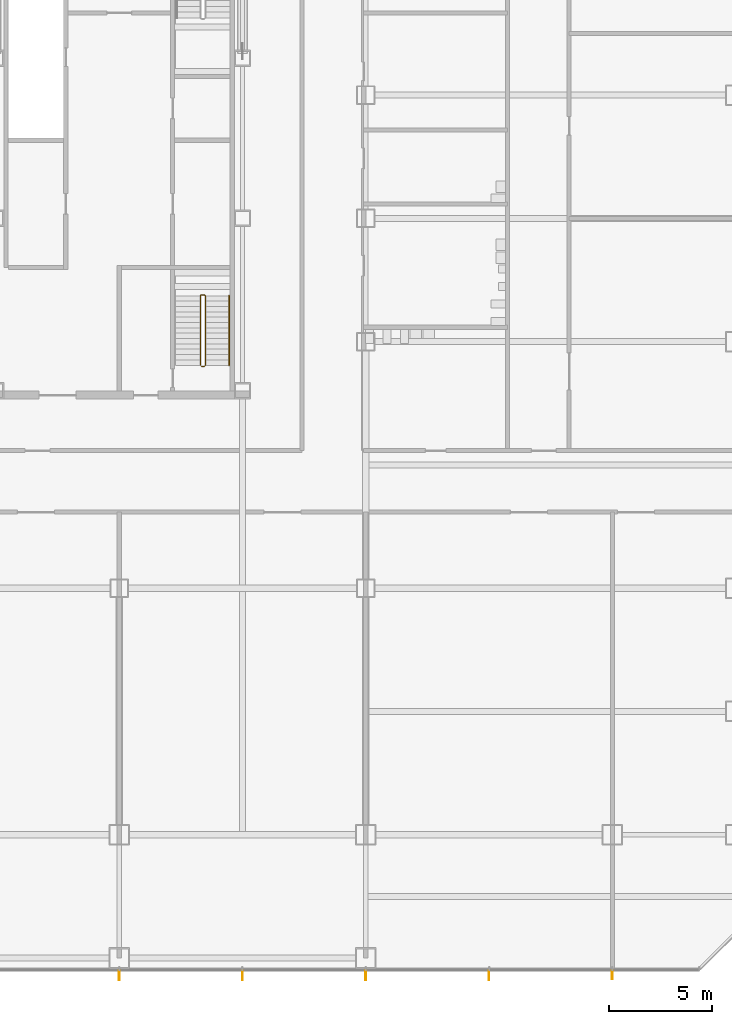
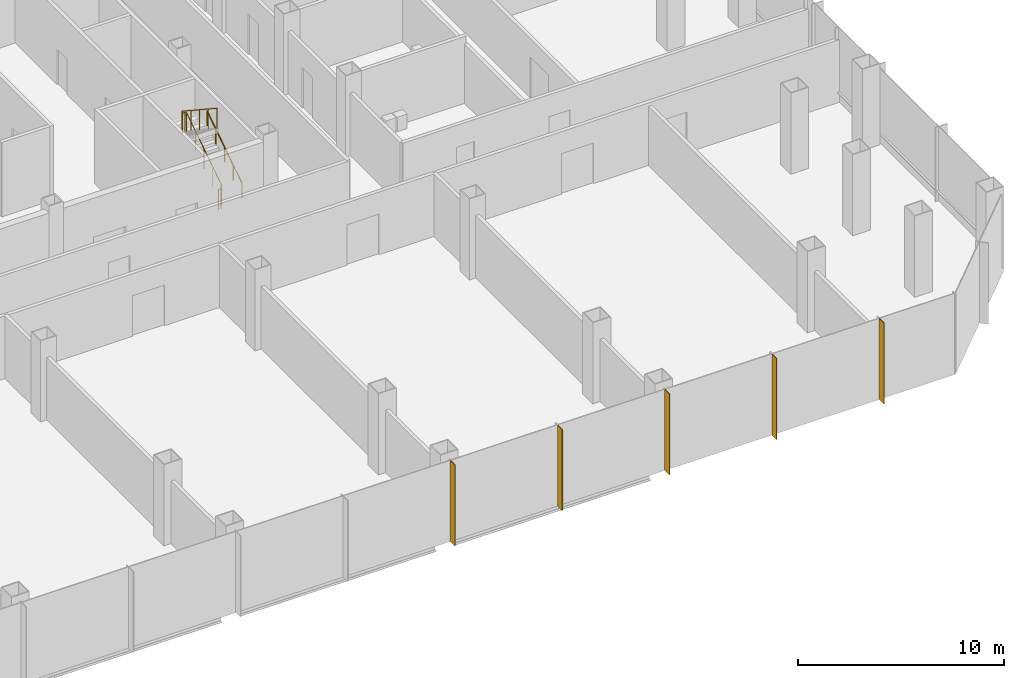
# One storey, part 28 of 33: 5 shading devices, 2 railings.
"""IFC4 building model written with IfcOpenShell, lengths in metres."""

from ifc_helpers import new_model, si_unit, direction, frame, origin, origin_2d, place, context, subcontext, project, spatial, rectangle, circle, extrude, material, material_profile, profile_set, type_object, element, save


model = new_model("IFC4")

# Units and contexts
model_context = context("Model", 3, precision=1e-05, world=origin(), true_north=direction((0.0, 1.0)))
body_context = subcontext(model_context, "Body", "Model", "MODEL_VIEW")
ifc_project = project(units=[si_unit("LENGTHUNIT", "METRE"), si_unit("AREAUNIT", "SQUARE_METRE"), si_unit("VOLUMEUNIT", "CUBIC_METRE"), si_unit("PLANEANGLEUNIT", "RADIAN"), si_unit("MASSUNIT", "GRAM", prefix="KILO")], contexts=[model_context])

# Site, building, storey
site_placement = place(None, origin())
site = spatial("IfcSite", under=ifc_project, at=site_placement, CompositionType="ELEMENT")
building_placement = place(site_placement, origin())
building = spatial("IfcBuilding", under=site, at=building_placement, Name="Sorahane Residences", CompositionType="ELEMENT")
storey_placement = place(building_placement, frame((0.0, 0.0, 25.199951171875)))
storey = spatial("IfcBuildingStorey", under=building, at=storey_placement, Name="L03", CompositionType="ELEMENT", Elevation=25.199951171875)

# Shading devices
ifc_material_1 = material(Name="Terracotta anodised aluminium", Category="masonry")
ifc_material_profile = material_profile(ifc_material_1, rectangle(XDim=0.449951171875, YDim=0.0400390625, at=origin_2d()), Name="Podium vertical fin terracotta anodised aluminium 450x40")
ifc_profile_set = profile_set([ifc_material_profile], Name="Terracotta anodised aluminium")
shading_device_type = type_object("IfcShadingDeviceType", Name="Podium vertical fin terracotta anodised aluminium 450x40", PredefinedType="USERDEFINED", material=ifc_profile_set)
for number, where, z_axis, x_axis, name in (
    (1, (36.0, -6.844970703125, -0.39990234375), (0.0, 0.0, 1.0), (0.0, -1.0, 0.0), "Podium vertical fin L03 S1.5"),
    (2, (42.0, -6.844970703125, -0.39990234375), (0.0, 0.0, 1.0), (0.0, -1.0, 0.0), "Podium vertical fin L03 S1.6"),
    (3, (48.0, -6.844970703125, -0.39990234375), (0.0, 0.0, 1.0), (0.0, -1.0, 0.0), "Podium vertical fin L03 S1.7"),
    (4, (54.0, -6.844970703125, -0.39990234375), (0.0, 0.0, 1.0), (0.0, -1.0, 0.0), "Podium vertical fin L03 S1.8"),
    (5, (60.0, -6.844970703125, -0.39990234375), (0.0, 0.0, 1.0), (0.0, -1.0, 0.0), "Podium vertical fin L03 S1.9"),
):
    element("IfcShadingDevice", number, at=place(storey_placement, frame(where, z_axis=z_axis, x_axis=x_axis)), inside=storey, type_object=shading_device_type, Name=name, ObjectType="Vertical fin", PredefinedType="USERDEFINED", context=body_context, shape_type="SweptSolid", body=[
        extrude(rectangle(XDim=0.449951171875, YDim=0.0400390625, at=origin_2d()), origin(), (0.0, 0.0, 1.0), 4.800048828125),
    ])

# Railings
ifc_material_2 = material(Name="Steel Q355B", Category="steel")
railing_type_1 = type_object("IfcRailingType", Name="Stair guard 1200 Steel Q355B", PredefinedType="GUARDRAIL", material=ifc_material_2)
railing_1_placement = place(storey_placement, frame((40.0, 22.800048828125, 0.0)))
element("IfcRailing", 6, at=railing_1_placement, inside=storey, type_object=railing_type_1, Name="L03 S5 stair guard 1", PredefinedType="GUARDRAIL", context=body_context, shape_type="SweptSolid", body=[
    extrude(circle(Radius=0.02392578125, at=origin_2d()), frame((0.0, 0.0, 1.17578125), z_axis=(1.0, 0.0, 0.0), x_axis=(0.0, 1.0, 0.0)), (0.0, 0.0, 1.0), 0.14990234375),
    extrude(circle(Radius=0.02392578125, at=origin_2d()), frame((0.14990234375, 0.0, 1.17578125), z_axis=(0.269911200495, 0.269911200495, 0.924281281696), x_axis=(-0.707106781187, 0.707106781187, 0.0)), (0.0, 0.0, 1.0), 0.185546875),
    extrude(circle(Radius=0.02392578125, at=origin_2d()), frame((0.199951171875, 0.050048828125, 1.34716796875), z_axis=(0.0, 0.834832235197, 0.55050444056), x_axis=(-1.0, 0.0, 0.0)), (0.0, 0.0, 1.0), 4.048583984375),
    extrude(circle(Radius=0.02392578125, at=origin_2d()), frame((0.199951171875, 3.429931640625, 3.576171875), z_axis=(-0.707106781187, 0.707106781187, 0.0), x_axis=(-0.707106781187, -0.707106781187, 0.0)), (0.0, 0.0, 1.0), 0.07080078125),
    extrude(circle(Radius=0.02392578125, at=origin_2d()), frame((0.14990234375, 3.47998046875, 3.576171875), z_axis=(-1.0, 0.0, 0.0), x_axis=(0.0, -1.0, 0.0)), (0.0, 0.0, 1.0), 0.14990234375),
    extrude(circle(Radius=0.02392578125, at=origin_2d()), frame((0.0, 3.47998046875, 3.576171875), z_axis=(-0.269911200495, -0.269911200495, 0.924281281696), x_axis=(0.707106781187, -0.707106781187, 0.0)), (0.0, 0.0, 1.0), 0.185546875),
    extrude(circle(Radius=0.02392578125, at=origin_2d()), frame((-0.050048828125, 3.429931640625, 3.74755859375), z_axis=(0.0, -0.83485994896, 0.550462410727), x_axis=(1.0, 0.0, 0.0)), (0.0, 0.0, 1.0), 4.04833984375),
    extrude(circle(Radius=0.02099609375, at=origin_2d()), origin(), (0.0, 0.0, 1.0), 1.15185546875),
    extrude(circle(Radius=0.02099609375, at=origin_2d()), frame((0.14990234375, 0.0, 0.0)), (0.0, 0.0, 1.0), 1.15185546875),
    extrude(circle(Radius=0.02099609375, at=origin_2d()), frame((0.199951171875, 0.050048828125, 0.17138671875)), (0.0, 0.0, 1.0), 1.15185546875),
    extrude(circle(Radius=0.02099609375, at=origin_2d()), frame((0.199951171875, 0.89501953125, 0.728515625)), (0.0, 0.0, 1.0), 1.15185546875),
    extrude(circle(Radius=0.02099609375, at=origin_2d()), frame((0.199951171875, 1.739990234375, 1.28564453125)), (0.0, 0.0, 1.0), 1.15185546875),
    extrude(circle(Radius=0.02099609375, at=origin_2d()), frame((0.199951171875, 2.5849609375, 1.843017578125)), (0.0, 0.0, 1.0), 1.15185546875),
    extrude(circle(Radius=0.02099609375, at=origin_2d()), frame((0.199951171875, 3.429931640625, 2.400146484375)), (0.0, 0.0, 1.0), 1.15185546875),
    extrude(circle(Radius=0.02099609375, at=origin_2d()), frame((0.14990234375, 3.47998046875, 2.400146484375)), (0.0, 0.0, 1.0), 1.15185546875),
    extrude(circle(Radius=0.02099609375, at=origin_2d()), frame((0.0, 3.47998046875, 2.400146484375)), (0.0, 0.0, 1.0), 1.15185546875),
    extrude(circle(Radius=0.02099609375, at=origin_2d()), frame((-0.050048828125, 3.429931640625, 2.571533203125)), (0.0, 0.0, 1.0), 1.15185546875),
    extrude(circle(Radius=0.02099609375, at=origin_2d()), frame((-0.050048828125, 2.5849609375, 3.128662109375)), (0.0, 0.0, 1.0), 1.15185546875),
    extrude(circle(Radius=0.02099609375, at=origin_2d()), frame((-0.050048828125, 1.739990234375, 3.685791015625)), (0.0, 0.0, 1.0), 1.15185546875),
    extrude(circle(Radius=0.02099609375, at=origin_2d()), frame((-0.050048828125, 0.89501953125, 4.242919921875)), (0.0, 0.0, 1.0), 1.15185546875),
    extrude(circle(Radius=0.02099609375, at=origin_2d()), frame((-0.050048828125, 0.050048828125, 4.800048828125)), (0.0, 0.0, 1.0), 1.15185546875),
])
ifc_material_3 = material(Name="Steel Q355B", Category="steel")
railing_type_2 = type_object("IfcRailingType", Name="Stair handrail 900 Steel Q355B", PredefinedType="HANDRAIL", material=ifc_material_3)
railing_2_placement = place(storey_placement, frame((41.35009765625, 22.85009765625, 0.17138671875)))
element("IfcRailing", 7, at=railing_2_placement, inside=storey, type_object=railing_type_2, Name="L03 S5 stair handrail 1", PredefinedType="HANDRAIL", context=body_context, shape_type="SweptSolid", body=[
    extrude(circle(Radius=0.02392578125, at=origin_2d()), frame((0.0, 0.0, 0.8759765625), z_axis=(0.0, 0.834832235197, 0.55050444056), x_axis=(-1.0, 0.0, 0.0)), (0.0, 0.0, 1.0), 4.048583984375),
    extrude(circle(Radius=0.02099609375, at=origin_2d()), origin(), (0.0, 0.0, 1.0), 0.851806640625),
    extrude(circle(Radius=0.02099609375, at=origin_2d()), frame((0.0, 0.844970703125, 0.55712890625)), (0.0, 0.0, 1.0), 0.851806640625),
    extrude(circle(Radius=0.02099609375, at=origin_2d()), frame((0.0, 1.68994140625, 1.1142578125)), (0.0, 0.0, 1.0), 0.851806640625),
    extrude(circle(Radius=0.02099609375, at=origin_2d()), frame((0.0, 2.534912109375, 1.671630859375)), (0.0, 0.0, 1.0), 0.851806640625),
    extrude(circle(Radius=0.02099609375, at=origin_2d()), frame((0.0, 3.3798828125, 2.228759765625)), (0.0, 0.0, 1.0), 0.851806640625),
])

save(model, "model.ifc")
